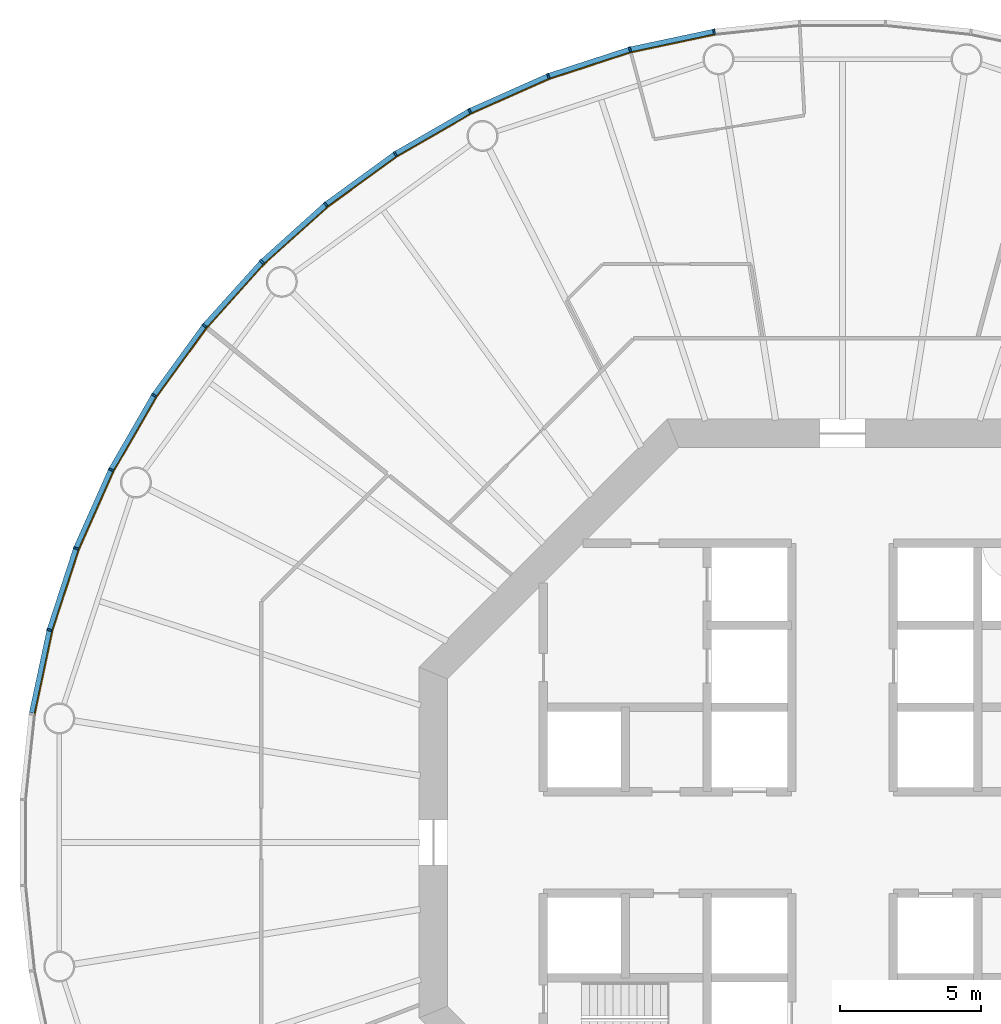
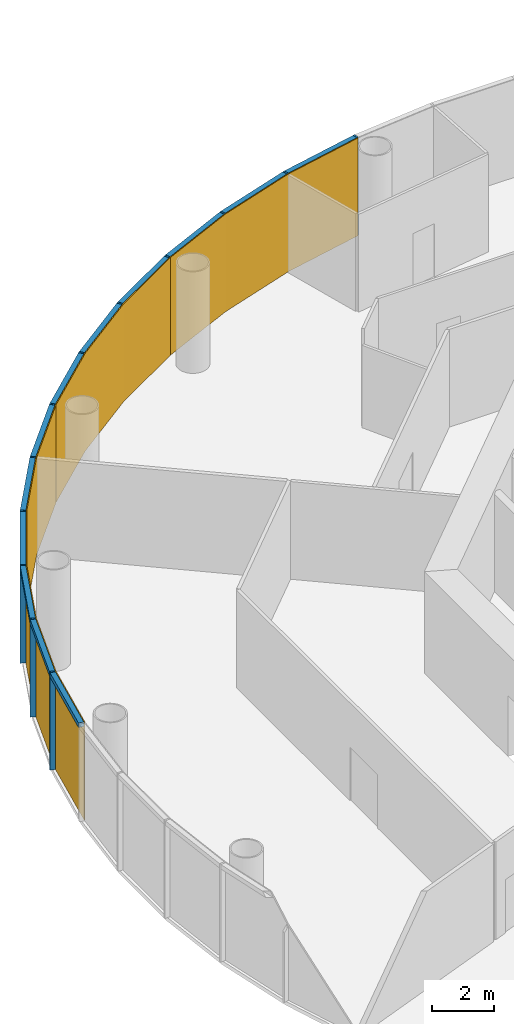
# One storey, part 9 of 12: 24 members, 4 curtain walls.
"""IFC4 building model written with IfcOpenShell, lengths in metres."""

from ifc_helpers import new_model, si_unit, direction, frame, origin, origin_2d, place, context, subcontext, project, spatial, polyline, rectangle, outline, extrude, material, layer, layer_set, material_profile, profile_set, type_object, element, aggregate, save


model = new_model("IFC4")

# Units and contexts
model_context = context("Model", 3, precision=1e-05, world=origin(), true_north=direction((0.0, 1.0)))
body_context = subcontext(model_context, "Body", "Model", "MODEL_VIEW")
ifc_project = project(units=[si_unit("LENGTHUNIT", "METRE"), si_unit("AREAUNIT", "SQUARE_METRE"), si_unit("VOLUMEUNIT", "CUBIC_METRE"), si_unit("PLANEANGLEUNIT", "RADIAN"), si_unit("MASSUNIT", "GRAM", prefix="KILO")], contexts=[model_context])

# Member
ifc_material_1 = material(Name="Anodised aluminium", Category="aluminium")
ifc_material_profile_1 = material_profile(ifc_material_1, rectangle(XDim=0.06494140625, YDim=0.18505859375, at=origin_2d()), Name="Mullion 65 x 185 mm anodised aluminium")
ifc_profile_set_1 = profile_set([ifc_material_profile_1], Name="Anodised aluminium")
member_type_1 = type_object("IfcMemberType", Name="Mullion 65 x 185 mm anodised aluminium", PredefinedType="MULLION", material=ifc_profile_set_1)
site_placement = place(None, origin())
building_placement = place(site_placement, origin())
storey_placement = place(building_placement, frame((0.0, 0.0, 148.0)))
member_1_placement = place(storey_placement, frame((85.448974609375, 108.734375, 0.0), z_axis=(0.0, 0.0, 1.0), x_axis=(-0.987688340595, -0.15643446504, 0.0)))
member_1 = element("IfcMember", 1, at=member_1_placement, type_object=member_type_1, Name="MULLION L33-15", PredefinedType="MULLION", context=body_context, shape_type="SweptSolid", body=[
    extrude(rectangle(XDim=0.06494140625, YDim=0.18505859375, at=origin_2d()), origin(), (0.0, 0.0, 1.0), 3.85009765625),
])

member_2_placement = place(storey_placement, frame((82.47021484375, 108.101318359375, 0.0), z_axis=(0.0, 0.0, 1.0), x_axis=(-0.965925826289, -0.258819045103, 0.0)))
member_2 = element("IfcMember", 2, at=member_2_placement, type_object=member_type_1, Name="MULLION L33-16", PredefinedType="MULLION", context=body_context, shape_type="SweptSolid", body=[
    extrude(rectangle(XDim=0.06494140625, YDim=0.18505859375, at=origin_2d()), origin(), (0.0, 0.0, 1.0), 3.85009765625),
])

member_3_placement = place(storey_placement, frame((79.57421875, 107.16015625, 0.0), z_axis=(0.0, 0.0, 1.0), x_axis=(-0.933580426497, -0.358367949545, 0.0)))
member_3 = element("IfcMember", 3, at=member_3_placement, type_object=member_type_1, Name="MULLION L33-17", PredefinedType="MULLION", context=body_context, shape_type="SweptSolid", body=[
    extrude(rectangle(XDim=0.06494140625, YDim=0.18505859375, at=origin_2d()), origin(), (0.0, 0.0, 1.0), 3.85009765625),
])

member_4_placement = place(storey_placement, frame((76.792236328125, 105.921630859375, 0.0), z_axis=(0.0, 0.0, 1.0), x_axis=(-0.891006524188, -0.45399049974, 0.0)))
member_4 = element("IfcMember", 4, at=member_4_placement, type_object=member_type_1, Name="MULLION L33-18", PredefinedType="MULLION", context=body_context, shape_type="SweptSolid", body=[
    extrude(rectangle(XDim=0.06494140625, YDim=0.18505859375, at=origin_2d()), origin(), (0.0, 0.0, 1.0), 3.85009765625),
])

member_5_placement = place(storey_placement, frame((74.155029296875, 104.39892578125, 0.0), z_axis=(0.0, 0.0, 1.0), x_axis=(-0.838670567945, -0.544639035015, 0.0)))
member_5 = element("IfcMember", 5, at=member_5_placement, type_object=member_type_1, Name="MULLION L33-19", PredefinedType="MULLION", context=body_context, shape_type="SweptSolid", body=[
    extrude(rectangle(XDim=0.06494140625, YDim=0.18505859375, at=origin_2d()), origin(), (0.0, 0.0, 1.0), 3.85009765625),
])

member_6_placement = place(storey_placement, frame((71.69140625, 102.609130859375, 0.0), z_axis=(0.0, 0.0, 1.0), x_axis=(-0.777145961457, -0.62932039105, 0.0)))
member_6 = element("IfcMember", 6, at=member_6_placement, type_object=member_type_1, Name="MULLION L33-20", PredefinedType="MULLION", context=body_context, shape_type="SweptSolid", body=[
    extrude(rectangle(XDim=0.06494140625, YDim=0.18505859375, at=origin_2d()), origin(), (0.0, 0.0, 1.0), 3.85009765625),
])

member_7_placement = place(storey_placement, frame((69.428466796875, 100.571533203125, 0.0), z_axis=(0.0, 0.0, 1.0), x_axis=(-0.707106781187, -0.707106781187, 0.0)))
member_7 = element("IfcMember", 7, at=member_7_placement, type_object=member_type_1, Name="MULLION L33-21", PredefinedType="MULLION", context=body_context, shape_type="SweptSolid", body=[
    extrude(rectangle(XDim=0.06494140625, YDim=0.18505859375, at=origin_2d()), origin(), (0.0, 0.0, 1.0), 3.85009765625),
])

member_8_placement = place(storey_placement, frame((67.390869140625, 98.30859375, 0.0), z_axis=(0.0, 0.0, 1.0), x_axis=(-0.62932039105, -0.777145961457, 0.0)))
member_8 = element("IfcMember", 8, at=member_8_placement, type_object=member_type_1, Name="MULLION L33-22", PredefinedType="MULLION", context=body_context, shape_type="SweptSolid", body=[
    extrude(rectangle(XDim=0.06494140625, YDim=0.18505859375, at=origin_2d()), origin(), (0.0, 0.0, 1.0), 3.85009765625),
])

member_9_placement = place(storey_placement, frame((65.60107421875, 95.844970703125, 0.0), z_axis=(0.0, 0.0, 1.0), x_axis=(-0.544639035015, -0.838670567945, 0.0)))
member_9 = element("IfcMember", 9, at=member_9_placement, type_object=member_type_1, Name="MULLION L33-23", PredefinedType="MULLION", context=body_context, shape_type="SweptSolid", body=[
    extrude(rectangle(XDim=0.06494140625, YDim=0.18505859375, at=origin_2d()), origin(), (0.0, 0.0, 1.0), 3.85009765625),
])

member_10_placement = place(storey_placement, frame((64.078369140625, 93.207763671875, 0.0), z_axis=(0.0, 0.0, 1.0), x_axis=(-0.45399049974, -0.891006524188, 0.0)))
member_10 = element("IfcMember", 10, at=member_10_placement, type_object=member_type_1, Name="MULLION L33-24", PredefinedType="MULLION", context=body_context, shape_type="SweptSolid", body=[
    extrude(rectangle(XDim=0.06494140625, YDim=0.18505859375, at=origin_2d()), origin(), (0.0, 0.0, 1.0), 3.85009765625),
])

member_11_placement = place(storey_placement, frame((62.83984375, 90.42578125, 0.0), z_axis=(0.0, 0.0, 1.0), x_axis=(-0.358367949545, -0.933580426497, 0.0)))
member_11 = element("IfcMember", 11, at=member_11_placement, type_object=member_type_1, Name="MULLION L33-25", PredefinedType="MULLION", context=body_context, shape_type="SweptSolid", body=[
    extrude(rectangle(XDim=0.06494140625, YDim=0.18505859375, at=origin_2d()), origin(), (0.0, 0.0, 1.0), 3.85009765625),
])

member_12_placement = place(storey_placement, frame((61.898681640625, 87.52978515625, 0.0), z_axis=(0.0, 0.0, 1.0), x_axis=(-0.258819045103, -0.965925826289, 0.0)))
member_12 = element("IfcMember", 12, at=member_12_placement, type_object=member_type_1, Name="MULLION L33-26", PredefinedType="MULLION", context=body_context, shape_type="SweptSolid", body=[
    extrude(rectangle(XDim=0.06494140625, YDim=0.18505859375, at=origin_2d()), origin(), (0.0, 0.0, 1.0), 3.85009765625),
])

ifc_material_2 = material(Name="Anodised aluminium", Category="aluminium")
ifc_material_profile_2 = material_profile(ifc_material_2, rectangle(XDim=0.18505859375, YDim=0.175048828125, at=origin_2d()), Name="Transom 175 x 185 mm anodised aluminium")
ifc_profile_set_2 = profile_set([ifc_material_profile_2], Name="Anodised aluminium")
member_type_2 = type_object("IfcMemberType", Name="Transom 175 x 185 mm anodised aluminium", PredefinedType="USERDEFINED", material=ifc_profile_set_2)
member_13_placement = place(storey_placement, frame((85.412353515625, 108.7265625, 3.762451171875), z_axis=(-0.97815822425, -0.207861704825, 0.0), x_axis=(0.207861704825, -0.97815822425, 0.0)))
member_13 = element("IfcMember", 13, at=member_13_placement, type_object=member_type_2, Name="TRANSOM L33-15", ObjectType="TRANSOM", PredefinedType="USERDEFINED", context=body_context, shape_type="SweptSolid", body=[
    extrude(rectangle(XDim=0.18505859375, YDim=0.175048828125, at=origin_2d()), origin(), (0.0, 0.0, 1.0), 2.970458984375),
])

member_14_placement = place(storey_placement, frame((82.434814453125, 108.08984375, 3.762451171875), z_axis=(-0.951055809184, -0.30901917063, 0.0), x_axis=(0.30901917063, -0.951055809184, 0.0)))
member_14 = element("IfcMember", 14, at=member_14_placement, type_object=member_type_2, Name="TRANSOM L33-16", ObjectType="TRANSOM", PredefinedType="USERDEFINED", context=body_context, shape_type="SweptSolid", body=[
    extrude(rectangle(XDim=0.18505859375, YDim=0.175048828125, at=origin_2d()), origin(), (0.0, 0.0, 1.0), 2.970703125),
])

member_15_placement = place(storey_placement, frame((79.5400390625, 107.14501953125, 3.762451171875), z_axis=(-0.913567348806, -0.406687471156, 0.0), x_axis=(0.406687471156, -0.913567348806, 0.0)))
member_15 = element("IfcMember", 15, at=member_15_placement, type_object=member_type_2, Name="TRANSOM L33-17", ObjectType="TRANSOM", PredefinedType="USERDEFINED", context=body_context, shape_type="SweptSolid", body=[
    extrude(rectangle(XDim=0.18505859375, YDim=0.175048828125, at=origin_2d()), origin(), (0.0, 0.0, 1.0), 2.970458984375),
])

member_16_placement = place(storey_placement, frame((76.759765625, 105.903076171875, 3.762451171875), z_axis=(-0.866009025146, -0.500028367561, 0.0), x_axis=(0.500028367561, -0.866009025146, 0.0)))
member_16 = element("IfcMember", 16, at=member_16_placement, type_object=member_type_2, Name="TRANSOM L33-18", ObjectType="TRANSOM", PredefinedType="USERDEFINED", context=body_context, shape_type="SweptSolid", body=[
    extrude(rectangle(XDim=0.18505859375, YDim=0.175048828125, at=origin_2d()), origin(), (0.0, 0.0, 1.0), 2.970458984375),
])

member_17_placement = place(storey_placement, frame((74.124755859375, 104.377197265625, 3.762451171875), z_axis=(-0.808991906087, -0.587819781808, 0.0), x_axis=(0.587819781808, -0.808991906087, 0.0)))
member_17 = element("IfcMember", 17, at=member_17_placement, type_object=member_type_2, Name="TRANSOM L33-19", ObjectType="TRANSOM", PredefinedType="USERDEFINED", context=body_context, shape_type="SweptSolid", body=[
    extrude(rectangle(XDim=0.18505859375, YDim=0.175048828125, at=origin_2d()), origin(), (0.0, 0.0, 1.0), 2.970458984375),
])

member_18_placement = place(storey_placement, frame((71.66357421875, 102.584228515625, 3.762451171875), z_axis=(-0.743163354343, -0.669110027395, 0.0), x_axis=(0.669110027395, -0.743163354343, 0.0)))
member_18 = element("IfcMember", 18, at=member_18_placement, type_object=member_type_2, Name="TRANSOM L33-20", ObjectType="TRANSOM", PredefinedType="USERDEFINED", context=body_context, shape_type="SweptSolid", body=[
    extrude(rectangle(XDim=0.18505859375, YDim=0.175048828125, at=origin_2d()), origin(), (0.0, 0.0, 1.0), 2.970458984375),
])

member_19_placement = place(storey_placement, frame((69.4033203125, 100.5439453125, 3.762451171875), z_axis=(-0.669110027395, -0.743163354343, 0.0), x_axis=(0.743163354343, -0.669110027395, 0.0)))
member_19 = element("IfcMember", 19, at=member_19_placement, type_object=member_type_2, Name="TRANSOM L33-21", ObjectType="TRANSOM", PredefinedType="USERDEFINED", context=body_context, shape_type="SweptSolid", body=[
    extrude(rectangle(XDim=0.18505859375, YDim=0.175048828125, at=origin_2d()), origin(), (0.0, 0.0, 1.0), 2.970458984375),
])

member_20_placement = place(storey_placement, frame((67.368896484375, 98.2783203125, 3.762451171875), z_axis=(-0.587819781808, -0.808991906087, 0.0), x_axis=(0.808991906087, -0.587819781808, 0.0)))
member_20 = element("IfcMember", 20, at=member_20_placement, type_object=member_type_2, Name="TRANSOM L33-22", ObjectType="TRANSOM", PredefinedType="USERDEFINED", context=body_context, shape_type="SweptSolid", body=[
    extrude(rectangle(XDim=0.18505859375, YDim=0.175048828125, at=origin_2d()), origin(), (0.0, 0.0, 1.0), 2.970458984375),
])

member_21_placement = place(storey_placement, frame((65.582275390625, 95.812744140625, 3.762451171875), z_axis=(-0.500028367561, -0.866009025146, 0.0), x_axis=(0.866009025146, -0.500028367561, 0.0)))
member_21 = element("IfcMember", 21, at=member_21_placement, type_object=member_type_2, Name="TRANSOM L33-23", ObjectType="TRANSOM", PredefinedType="USERDEFINED", context=body_context, shape_type="SweptSolid", body=[
    extrude(rectangle(XDim=0.18505859375, YDim=0.175048828125, at=origin_2d()), origin(), (0.0, 0.0, 1.0), 2.970458984375),
])

member_22_placement = place(storey_placement, frame((64.06298828125, 93.173583984375, 3.762451171875), z_axis=(-0.406687471156, -0.913567348806, 0.0), x_axis=(0.913567348806, -0.406687471156, 0.0)))
member_22 = element("IfcMember", 22, at=member_22_placement, type_object=member_type_2, Name="TRANSOM L33-24", ObjectType="TRANSOM", PredefinedType="USERDEFINED", context=body_context, shape_type="SweptSolid", body=[
    extrude(rectangle(XDim=0.18505859375, YDim=0.175048828125, at=origin_2d()), origin(), (0.0, 0.0, 1.0), 2.970458984375),
])

member_23_placement = place(storey_placement, frame((62.828125, 90.390380859375, 3.762451171875), z_axis=(-0.30901917063, -0.951055809184, 0.0), x_axis=(0.951055809184, -0.30901917063, 0.0)))
member_23 = element("IfcMember", 23, at=member_23_placement, type_object=member_type_2, Name="TRANSOM L33-25", ObjectType="TRANSOM", PredefinedType="USERDEFINED", context=body_context, shape_type="SweptSolid", body=[
    extrude(rectangle(XDim=0.18505859375, YDim=0.175048828125, at=origin_2d()), origin(), (0.0, 0.0, 1.0), 2.970703125),
])

member_24_placement = place(storey_placement, frame((61.890869140625, 87.4931640625, 3.762451171875), z_axis=(-0.207861704825, -0.97815822425, 0.0), x_axis=(0.97815822425, -0.207861704825, 0.0)))
member_24 = element("IfcMember", 24, at=member_24_placement, type_object=member_type_2, Name="TRANSOM L33-26", ObjectType="TRANSOM", PredefinedType="USERDEFINED", context=body_context, shape_type="SweptSolid", body=[
    extrude(rectangle(XDim=0.18505859375, YDim=0.175048828125, at=origin_2d()), origin(), (0.0, 0.0, 1.0), 2.970458984375),
])

# Site, building, storey
site = spatial("IfcSite", under=ifc_project, at=site_placement, CompositionType="ELEMENT")
building = spatial("IfcBuilding", under=site, at=building_placement, Name="Entoto Ring Tower", CompositionType="ELEMENT")
storey = spatial("IfcBuildingStorey", under=building, at=storey_placement, Name="L33", CompositionType="ELEMENT", Elevation=148.0)

# Curtain wall
ifc_material_3 = material(Name="Clear low-iron glass", Category="glass")
ifc_layer = layer(ifc_material_3, 0.033935546875)
ifc_layer_set = layer_set([ifc_layer], Name="Clear low-iron glass")
curtain_wall_type = type_object("IfcCurtainWallType", Name="Curtain wall system CW3 glazing 34 mm", PredefinedType="NOTDEFINED", material=ifc_layer_set)
curtain_wall_1_placement = place(storey_placement, origin())
curtain_wall_1 = element("IfcCurtainWall", 25, at=curtain_wall_1_placement, inside=storey, type_object=curtain_wall_type, Name="CW3 L33-06", PredefinedType="NOTDEFINED", context=body_context, shape_type="SweptSolid", body=[
    extrude(outline(polyline([(85.46337890625, 108.64306640625), (82.494140625, 108.011962890625), (79.607421875, 107.07373046875), (76.834228515625, 105.839111328125), (76.849853515625, 105.808837890625), (79.61962890625, 107.0419921875), (82.503173828125, 107.97900390625), (85.46875, 108.609375), (85.46337890625, 108.64306640625)])), origin(), (0.0, 0.0, 1.0), 3.85009765625),
])

aggregate(curtain_wall_1, [member_1, member_2, member_3, member_13, member_14, member_15])

curtain_wall_2_placement = place(storey_placement, origin())
curtain_wall_2 = element("IfcCurtainWall", 26, at=curtain_wall_2_placement, inside=storey, type_object=curtain_wall_type, Name="CW3 L33-07", PredefinedType="NOTDEFINED", context=body_context, shape_type="SweptSolid", body=[
    extrude(outline(polyline([(76.834228515625, 105.839111328125), (74.20556640625, 104.321533203125), (71.749755859375, 102.537353515625), (69.493896484375, 100.506103515625), (69.51806640625, 100.48193359375), (71.771240234375, 102.5107421875), (74.22412109375, 104.29296875), (76.849853515625, 105.808837890625), (76.834228515625, 105.839111328125)])), origin(), (0.0, 0.0, 1.0), 3.85009765625),
])

aggregate(curtain_wall_2, [member_4, member_5, member_6, member_16, member_17, member_18])

curtain_wall_3_placement = place(storey_placement, origin())
curtain_wall_3 = element("IfcCurtainWall", 27, at=curtain_wall_3_placement, inside=storey, type_object=curtain_wall_type, Name="CW3 L33-08", PredefinedType="NOTDEFINED", context=body_context, shape_type="SweptSolid", body=[
    extrude(outline(polyline([(69.493896484375, 100.506103515625), (67.462646484375, 98.250244140625), (65.678466796875, 95.79443359375), (64.160888671875, 93.165771484375), (64.191162109375, 93.150146484375), (65.70703125, 95.77587890625), (67.4892578125, 98.228759765625), (69.51806640625, 100.48193359375), (69.493896484375, 100.506103515625)])), origin(), (0.0, 0.0, 1.0), 3.85009765625),
])

aggregate(curtain_wall_3, [member_7, member_8, member_9, member_19, member_20, member_21])

curtain_wall_4_placement = place(storey_placement, origin())
curtain_wall_4 = element("IfcCurtainWall", 28, at=curtain_wall_4_placement, inside=storey, type_object=curtain_wall_type, Name="CW3 L33-09", PredefinedType="NOTDEFINED", context=body_context, shape_type="SweptSolid", body=[
    extrude(outline(polyline([(64.160888671875, 93.165771484375), (62.92626953125, 90.392578125), (61.988037109375, 87.505859375), (61.35693359375, 84.53662109375), (61.390625, 84.53125), (62.02099609375, 87.496826171875), (62.9580078125, 90.38037109375), (64.191162109375, 93.150146484375), (64.160888671875, 93.165771484375)])), origin(), (0.0, 0.0, 1.0), 3.85009765625),
])

aggregate(curtain_wall_4, [member_10, member_11, member_12, member_22, member_23, member_24])

save(model, "model.ifc")
